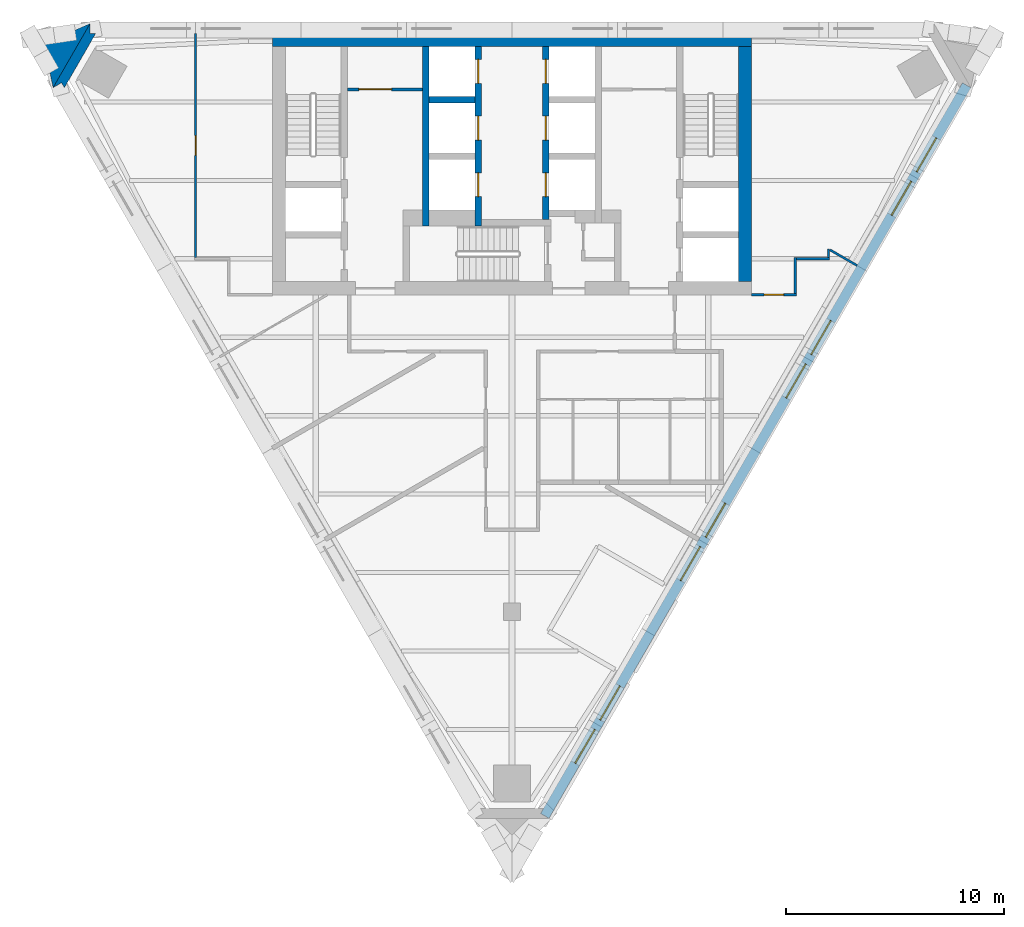
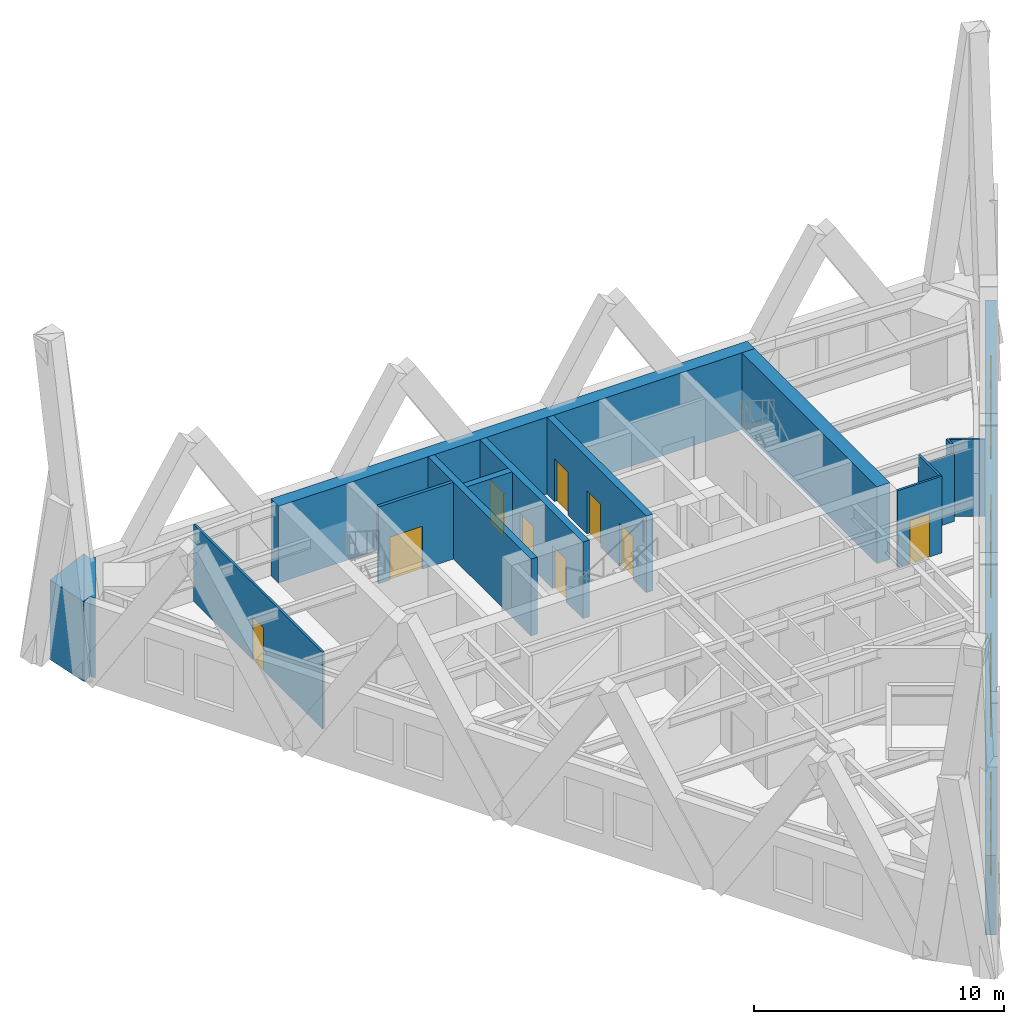
# One storey, part 5 of 7: 16 walls, 9 doors, 8 windows, 17 openings.
"""IFC4 building model written with IfcOpenShell, lengths in metres."""

from ifc_helpers import new_model, si_unit, direction, frame, frame_2d, origin, place, context, subcontext, project, spatial, polyline, rectangle, outline, extrude, material, layer, layer_set, type_object, element, fill, save


model = new_model("IFC4")

# Units and contexts
model_context = context("Model", 3, precision=1e-05, world=origin(), true_north=direction((0.0, 1.0)))
body_context = subcontext(model_context, "Body", "Model", "MODEL_VIEW")
ifc_project = project(units=[si_unit("LENGTHUNIT", "METRE"), si_unit("AREAUNIT", "SQUARE_METRE"), si_unit("VOLUMEUNIT", "CUBIC_METRE"), si_unit("PLANEANGLEUNIT", "RADIAN"), si_unit("MASSUNIT", "GRAM", prefix="KILO")], contexts=[model_context])

# Site, building, storey
site_placement = place(None, origin())
site = spatial("IfcSite", under=ifc_project, at=site_placement, CompositionType="ELEMENT")
building_placement = place(site_placement, origin())
building = spatial("IfcBuilding", under=site, at=building_placement, Name="Aloe Facet Convention Tower", CompositionType="ELEMENT")
storey_placement = place(building_placement, frame((0.0, 0.0, 211.39990234375)))
storey = spatial("IfcBuildingStorey", under=building, at=storey_placement, Name="L53", CompositionType="ELEMENT", Elevation=211.39990234375)

# Wall, opening, door
ifc_material_1 = material(Name="Concrete blockwork partition", Category="masonry")
ifc_layer_1 = layer(ifc_material_1, 0.14990234375)
ifc_layer_set_1 = layer_set([ifc_layer_1], Name="CR-W-PART150")
wall_type_1 = type_object("IfcWallType", Name="CR-W-PART150", PredefinedType="PARTITIONING", material=ifc_layer_set_1)
wall_1_placement = place(storey_placement, frame((72.449951171875, 131.97509765625, 0.0), z_axis=(0.0, 0.0, 1.0), x_axis=(1.0, 0.0, 0.0)))
wall_1 = element("IfcWall", 1, at=wall_1_placement, inside=storey, type_object=wall_type_1, Name="Core partition L53-007", PredefinedType="PARTITIONING", context=body_context, shape_type="SweptSolid", body=[
    extrude(rectangle(XDim=3.449951171875, YDim=0.14990234375, at=frame_2d((1.72509765625, 0.0))), origin(), (0.0, 0.0, 1.0), 3.75),
])
opening_1_placement = place(wall_1_placement, frame((0.52490234375, 0.0, 0.0)))
opening_1 = element("IfcOpeningElement", 2, at=opening_1_placement, cuts=wall_1, Name="Opening L53-CD14", PredefinedType="OPENING", context=body_context, shape_type="SweptSolid", body=[
    extrude(rectangle(XDim=1.5, YDim=2.10009765625, at=frame_2d((0.75, 1.050048828125))), frame((0.0, 0.0849609375, 0.0), z_axis=(0.0, -1.0, 0.0), x_axis=(1.0, 0.0, 0.0)), (0.0, 0.0, 1.0), 0.169921875),
])
ifc_material_2 = material(Name="Steel fire-resisting door set FD60", Category="steel")
door_type_1 = type_object("IfcDoorType", Name="CR-D-REFUGE-1500-FD60-DD", OperationType="DOUBLE_DOOR_DOUBLE_SWING", PredefinedType="DOOR", material=ifc_material_2)
door_1_placement = place(opening_1_placement, origin())
door_1 = element("IfcDoor", 3, at=door_1_placement, inside=storey, type_object=door_type_1, Name="Core door L53-CD14", OperationType="DOUBLE_DOOR_DOUBLE_SWING", OverallHeight=2.10009765625, OverallWidth=1.5, PredefinedType="DOOR", context=body_context, shape_type="SweptSolid", body=[
    extrude(rectangle(XDim=1.5, YDim=2.10009765625, at=frame_2d((0.75, 1.050048828125))), frame((0.0, 0.02490234375, 0.0), z_axis=(0.0, -1.0, 0.0), x_axis=(1.0, 0.0, 0.0)), (0.0, 0.0, 1.0), 0.050048828125),
])
fill(opening_1, door_1)

# Walls
ifc_material_3 = material(Name="Concrete C50/60", Category="concrete")
ifc_layer_2 = layer(ifc_material_3, 0.300048828125)
ifc_layer_set_2 = layer_set([ifc_layer_2], Name="CR-W-RC300-C5060")
wall_type_2 = type_object("IfcWallType", Name="CR-W-RC300-C5060", PredefinedType="SOLIDWALL", material=ifc_layer_set_2)
wall_2_placement = place(storey_placement, frame((76.050048828125, 133.949951171875, 0.0), z_axis=(0.0, 0.0, 1.0), x_axis=(0.0, -1.0, 0.0)))
element("IfcWall", 4, at=wall_2_placement, inside=storey, type_object=wall_type_2, Name="Core wall L53-010", PredefinedType="SOLIDWALL", context=body_context, shape_type="SweptSolid", body=[
    extrude(rectangle(XDim=8.25, YDim=0.300048828125, at=frame_2d((4.125, 0.0))), origin(), (0.0, 0.0, 1.0), 3.75),
])
wall_3_placement = place(storey_placement, frame((76.199951171875, 131.5, 0.0), z_axis=(0.0, 0.0, 1.0), x_axis=(1.0, 0.0, 0.0)))
element("IfcWall", 5, at=wall_3_placement, inside=storey, type_object=wall_type_2, Name="Core wall L53-011", PredefinedType="SOLIDWALL", context=body_context, shape_type="SweptSolid", body=[
    extrude(rectangle(XDim=2.10009765625, YDim=0.300048828125, at=frame_2d((1.050048828125, 0.0))), origin(), (0.0, 0.0, 1.0), 3.75),
])

# Wall, openings, doors
wall_4_placement = place(storey_placement, frame((78.449951171875, 133.949951171875, 0.0), z_axis=(0.0, 0.0, 1.0), x_axis=(0.0, -1.0, 0.0)))
wall_4 = element("IfcWall", 6, at=wall_4_placement, inside=storey, type_object=wall_type_2, Name="Core wall L53-014", PredefinedType="SOLIDWALL", context=body_context, shape_type="SweptSolid", body=[
    extrude(rectangle(XDim=8.25, YDim=0.300048828125, at=frame_2d((4.125, 0.0))), origin(), (0.0, 0.0, 1.0), 3.75),
])
opening_2_placement = place(wall_4_placement, frame((0.60009765625, 0.0, 0.0)))
opening_2 = element("IfcOpeningElement", 7, at=opening_2_placement, cuts=wall_4, Name="Opening LD-B1-L53", PredefinedType="OPENING", context=body_context, shape_type="SweptSolid", body=[
    extrude(rectangle(XDim=1.10009765625, YDim=2.10009765625, at=frame_2d((0.550048828125, 1.050048828125))), frame((0.0, 0.16015625, 0.0), z_axis=(0.0, -1.0, 0.0), x_axis=(1.0, 0.0, 0.0)), (0.0, 0.0, 1.0), 0.320068359375),
])
opening_3_placement = place(wall_4_placement, frame((3.199951171875, 0.0, 0.0)))
opening_3 = element("IfcOpeningElement", 8, at=opening_3_placement, cuts=wall_4, Name="Opening LD-B2-L53", PredefinedType="OPENING", context=body_context, shape_type="SweptSolid", body=[
    extrude(rectangle(XDim=1.10009765625, YDim=2.10009765625, at=frame_2d((0.550048828125, 1.050048828125))), frame((0.0, 0.16015625, 0.0), z_axis=(0.0, -1.0, 0.0), x_axis=(1.0, 0.0, 0.0)), (0.0, 0.0, 1.0), 0.320068359375),
])
opening_4_placement = place(wall_4_placement, frame((5.800048828125, 0.0, 0.0)))
opening_4 = element("IfcOpeningElement", 9, at=opening_4_placement, cuts=wall_4, Name="Opening LD-B3-L53", PredefinedType="OPENING", context=body_context, shape_type="SweptSolid", body=[
    extrude(rectangle(XDim=1.10009765625, YDim=2.10009765625, at=frame_2d((0.550048828125, 1.050048828125))), frame((0.0, 0.16015625, 0.0), z_axis=(0.0, -1.0, 0.0), x_axis=(1.0, 0.0, 0.0)), (0.0, 0.0, 1.0), 0.320068359375),
])
ifc_material_4 = material(Name="Stainless steel sliding landing door", Category="steel")
door_type_2 = type_object("IfcDoorType", Name="CR-LD-1100-FD60-RIGHT", OperationType="SLIDING_TO_RIGHT", PredefinedType="DOOR", material=ifc_material_4)
door_2_placement = place(opening_2_placement, origin())
door_2 = element("IfcDoor", 10, at=door_2_placement, inside=storey, type_object=door_type_2, Name="Landing door B1 L53", OperationType="SLIDING_TO_RIGHT", OverallHeight=2.10009765625, OverallWidth=1.10009765625, PredefinedType="DOOR", context=body_context, shape_type="SweptSolid", body=[
    extrude(rectangle(XDim=1.10009765625, YDim=2.10009765625, at=frame_2d((0.550048828125, 1.050048828125))), frame((0.0, 0.02490234375, 0.0), z_axis=(0.0, -1.0, 0.0), x_axis=(1.0, 0.0, 0.0)), (0.0, 0.0, 1.0), 0.050048828125),
])
fill(opening_2, door_2)
door_3_placement = place(opening_3_placement, origin())
door_3 = element("IfcDoor", 11, at=door_3_placement, inside=storey, type_object=door_type_2, Name="Landing door B2 L53", OperationType="SLIDING_TO_RIGHT", OverallHeight=2.10009765625, OverallWidth=1.10009765625, PredefinedType="DOOR", context=body_context, shape_type="SweptSolid", body=[
    extrude(rectangle(XDim=1.10009765625, YDim=2.10009765625, at=frame_2d((0.550048828125, 1.050048828125))), frame((0.0, 0.02490234375, 0.0), z_axis=(0.0, -1.0, 0.0), x_axis=(1.0, 0.0, 0.0)), (0.0, 0.0, 1.0), 0.050048828125),
])
fill(opening_3, door_3)
door_4_placement = place(opening_4_placement, origin())
door_4 = element("IfcDoor", 12, at=door_4_placement, inside=storey, type_object=door_type_2, Name="Landing door B3 L53", OperationType="SLIDING_TO_RIGHT", OverallHeight=2.10009765625, OverallWidth=1.10009765625, PredefinedType="DOOR", context=body_context, shape_type="SweptSolid", body=[
    extrude(rectangle(XDim=1.10009765625, YDim=2.10009765625, at=frame_2d((0.550048828125, 1.050048828125))), frame((0.0, 0.02490234375, 0.0), z_axis=(0.0, -1.0, 0.0), x_axis=(1.0, 0.0, 0.0)), (0.0, 0.0, 1.0), 0.050048828125),
])
fill(opening_4, door_4)

wall_5_placement = place(storey_placement, frame((81.550048828125, 133.949951171875, 0.0), z_axis=(0.0, 0.0, 1.0), x_axis=(0.0, -1.0, 0.0)))
wall_5 = element("IfcWall", 13, at=wall_5_placement, inside=storey, type_object=wall_type_2, Name="Core wall L53-016", PredefinedType="SOLIDWALL", context=body_context, shape_type="SweptSolid", body=[
    extrude(rectangle(XDim=7.949951171875, YDim=0.300048828125, at=frame_2d((3.97509765625, 0.0))), origin(), (0.0, 0.0, 1.0), 3.75),
])
opening_5_placement = place(wall_5_placement, frame((0.60009765625, 0.0, 0.0)))
opening_5 = element("IfcOpeningElement", 14, at=opening_5_placement, cuts=wall_5, Name="Opening LD-B4-L53", PredefinedType="OPENING", context=body_context, shape_type="SweptSolid", body=[
    extrude(rectangle(XDim=1.10009765625, YDim=2.10009765625, at=frame_2d((0.550048828125, 1.050048828125))), frame((0.0, 0.16015625, 0.0), z_axis=(0.0, -1.0, 0.0), x_axis=(1.0, 0.0, 0.0)), (0.0, 0.0, 1.0), 0.320068359375),
])
opening_6_placement = place(wall_5_placement, frame((3.199951171875, 0.0, 0.0)))
opening_6 = element("IfcOpeningElement", 15, at=opening_6_placement, cuts=wall_5, Name="Opening LD-B5-L53", PredefinedType="OPENING", context=body_context, shape_type="SweptSolid", body=[
    extrude(rectangle(XDim=1.10009765625, YDim=2.10009765625, at=frame_2d((0.550048828125, 1.050048828125))), frame((0.0, 0.16015625, 0.0), z_axis=(0.0, -1.0, 0.0), x_axis=(1.0, 0.0, 0.0)), (0.0, 0.0, 1.0), 0.320068359375),
])
opening_7_placement = place(wall_5_placement, frame((5.800048828125, 0.0, 0.0)))
opening_7 = element("IfcOpeningElement", 16, at=opening_7_placement, cuts=wall_5, Name="Opening LD-B6-L53", PredefinedType="OPENING", context=body_context, shape_type="SweptSolid", body=[
    extrude(rectangle(XDim=1.10009765625, YDim=2.10009765625, at=frame_2d((0.550048828125, 1.050048828125))), frame((0.0, 0.16015625, 0.0), z_axis=(0.0, -1.0, 0.0), x_axis=(1.0, 0.0, 0.0)), (0.0, 0.0, 1.0), 0.320068359375),
])
ifc_material_5 = material(Name="Stainless steel sliding landing door", Category="steel")
door_type_3 = type_object("IfcDoorType", Name="CR-LD-1100-FD60-_LEFT", OperationType="SLIDING_TO_LEFT", PredefinedType="DOOR", material=ifc_material_5)
door_5_placement = place(opening_5_placement, origin())
door_5 = element("IfcDoor", 17, at=door_5_placement, inside=storey, type_object=door_type_3, Name="Landing door B4 L53", OperationType="SLIDING_TO_LEFT", OverallHeight=2.10009765625, OverallWidth=1.10009765625, PredefinedType="DOOR", context=body_context, shape_type="SweptSolid", body=[
    extrude(rectangle(XDim=1.10009765625, YDim=2.10009765625, at=frame_2d((0.550048828125, 1.050048828125))), frame((0.0, 0.02490234375, 0.0), z_axis=(0.0, -1.0, 0.0), x_axis=(1.0, 0.0, 0.0)), (0.0, 0.0, 1.0), 0.050048828125),
])
fill(opening_5, door_5)
door_6_placement = place(opening_6_placement, origin())
door_6 = element("IfcDoor", 18, at=door_6_placement, inside=storey, type_object=door_type_3, Name="Landing door B5 L53", OperationType="SLIDING_TO_LEFT", OverallHeight=2.10009765625, OverallWidth=1.10009765625, PredefinedType="DOOR", context=body_context, shape_type="SweptSolid", body=[
    extrude(rectangle(XDim=1.10009765625, YDim=2.10009765625, at=frame_2d((0.550048828125, 1.050048828125))), frame((0.0, 0.02490234375, 0.0), z_axis=(0.0, -1.0, 0.0), x_axis=(1.0, 0.0, 0.0)), (0.0, 0.0, 1.0), 0.050048828125),
])
fill(opening_6, door_6)
door_7_placement = place(opening_7_placement, origin())
door_7 = element("IfcDoor", 19, at=door_7_placement, inside=storey, type_object=door_type_3, Name="Landing door B6 L53", OperationType="SLIDING_TO_LEFT", OverallHeight=2.10009765625, OverallWidth=1.10009765625, PredefinedType="DOOR", context=body_context, shape_type="SweptSolid", body=[
    extrude(rectangle(XDim=1.10009765625, YDim=2.10009765625, at=frame_2d((0.550048828125, 1.050048828125))), frame((0.0, 0.02490234375, 0.0), z_axis=(0.0, -1.0, 0.0), x_axis=(1.0, 0.0, 0.0)), (0.0, 0.0, 1.0), 0.050048828125),
])
fill(opening_7, door_7)

# Walls
ifc_material_6 = material(Name="Concrete C50/60", Category="concrete")
ifc_layer_3 = layer(ifc_material_6, 0.60009765625)
ifc_layer_set_3 = layer_set([ifc_layer_3], Name="CR-W-RC600-C5060")
wall_type_3 = type_object("IfcWallType", Name="CR-W-RC600-C5060", PredefinedType="SOLIDWALL", material=ifc_layer_set_3)
wall_6_placement = place(storey_placement, frame((69.0, 134.25, 0.0), z_axis=(0.0, 0.0, 1.0), x_axis=(1.0, 0.0, 0.0)))
element("IfcWall", 20, at=wall_6_placement, inside=storey, type_object=wall_type_3, Name="Core wall L53-001", PredefinedType="SOLIDWALL", context=body_context, shape_type="SweptSolid", body=[
    extrude(rectangle(XDim=22.0, YDim=0.60009765625, at=frame_2d((11.0, 0.0))), origin(), (0.0, 0.0, 1.0), 3.75),
])
wall_7_placement = place(storey_placement, frame((90.699951171875, 133.949951171875, 0.0), z_axis=(0.0, 0.0, 1.0), x_axis=(0.0, -1.0, 0.0)))
element("IfcWall", 21, at=wall_7_placement, inside=storey, type_object=wall_type_3, Name="Core wall L53-031", PredefinedType="SOLIDWALL", context=body_context, shape_type="SweptSolid", body=[
    extrude(rectangle(XDim=10.800048828125, YDim=0.60009765625, at=frame_2d((5.39990234375, 0.0))), origin(), (0.0, 0.0, 1.0), 3.75),
])
ifc_material_7 = material(Name="Precast concrete C40/50", Category="concrete")
ifc_layer_4 = layer(ifc_material_7, 0.449951171875)
ifc_layer_set_4 = layer_set([ifc_layer_4], Name="EV-WALL-PIER")
wall_type_4 = type_object("IfcWallType", Name="EV-WALL-PIER", PredefinedType="SOLIDWALL", material=ifc_layer_set_4)
wall_8_placement = place(storey_placement, frame((0.0, 0.0, -0.14990234375)))
element("IfcWall", 22, at=wall_8_placement, inside=storey, type_object=wall_type_4, Name="EP-L53-A", PredefinedType="SOLIDWALL", context=body_context, shape_type="SweptSolid", body=[
    extrude(outline(polyline([(60.635498046875, 135.0), (60.635498046875, 134.550048828125), (60.895263671875, 134.550048828125), (59.455078125, 132.055419921875), (59.3251953125, 132.280517578125), (58.935302734375, 132.055419921875), (60.635498046875, 135.0)])), origin(), (0.0, 0.0, 1.0), 3.89990234375),
])
ifc_material_8 = material(Name="Precast concrete C40/50", Category="concrete")
ifc_layer_5 = layer(ifc_material_8, 3.947998046875)
ifc_layer_set_5 = layer_set([ifc_layer_5], Name="EV-WALL-SPINE")
wall_type_5 = type_object("IfcWallType", Name="EV-WALL-SPINE", PredefinedType="SOLIDWALL", material=ifc_layer_set_5)
wall_9_placement = place(storey_placement, frame((0.0, 0.0, -0.14990234375)))
element("IfcWall", 23, at=wall_9_placement, inside=storey, type_object=wall_type_5, Name="SP-NW-L53", PredefinedType="SOLIDWALL", context=body_context, shape_type="SweptSolid", body=[
    extrude(outline(polyline([(60.635498046875, 135.0), (58.52197265625, 134.07470703125), (58.935302734375, 132.055419921875), (60.635498046875, 135.0)])), origin(), (0.0, 0.0, 1.0), 3.89990234375),
])

# Wall, openings, windows
ifc_material_9 = material(Name="Precast concrete C40/50", Category="concrete")
ifc_layer_6 = layer(ifc_material_9, 0.449951171875)
ifc_layer_set_6 = layer_set([ifc_layer_6], Name="EV-WALL-STONE")
wall_type_6 = type_object("IfcWallType", Name="EV-WALL-STONE", PredefinedType="SOLIDWALL", material=ifc_layer_set_6)
wall_10_placement = place(storey_placement, frame((81.505126953125, 98.62744140625, -0.14990234375), z_axis=(0.0, 0.0, 1.0), x_axis=(0.500002199942, 0.866024133644, 0.0)))
wall_10 = element("IfcWall", 24, at=wall_10_placement, inside=storey, type_object=wall_type_6, Name="EW-L53-E01", PredefinedType="SOLIDWALL", context=body_context, shape_type="SweptSolid", body=[
    extrude(outline(polyline([(38.729248046875, 0.0), (38.729248046875, 3.89990234375), (0.0, 3.89990234375), (0.0, 0.0), (38.729248046875, 0.0)])), frame((0.0, 0.22509765625, 0.0), z_axis=(0.0, -1.0, 0.0), x_axis=(1.0, 0.0, 0.0)), (0.0, 0.0, 1.0), 0.449951171875),
])
opening_8_placement = place(wall_10_placement, frame((2.791259765625, 0.0, 0.949951171875)))
opening_8 = element("IfcOpeningElement", 25, at=opening_8_placement, cuts=wall_10, Name="Opening W-L53-E01", PredefinedType="OPENING", context=body_context, shape_type="SweptSolid", body=[
    extrude(rectangle(XDim=1.800048828125, YDim=2.199951171875, at=frame_2d((0.89990234375, 1.10009765625))), frame((0.0, 0.23486328125, 0.0), z_axis=(0.0, -1.0, 0.0), x_axis=(1.0, 0.0, 0.0)), (0.0, 0.0, 1.0), 0.469970703125),
])
opening_9_placement = place(wall_10_placement, frame((5.091064453125, 0.0, 0.949951171875)))
opening_9 = element("IfcOpeningElement", 26, at=opening_9_placement, cuts=wall_10, Name="Opening W-L53-E02", PredefinedType="OPENING", context=body_context, shape_type="SweptSolid", body=[
    extrude(rectangle(XDim=1.800048828125, YDim=2.199951171875, at=frame_2d((0.89990234375, 1.10009765625))), frame((0.0, 0.23486328125, 0.0), z_axis=(0.0, -1.0, 0.0), x_axis=(1.0, 0.0, 0.0)), (0.0, 0.0, 1.0), 0.469970703125),
])
opening_10_placement = place(wall_10_placement, frame((12.473388671875, 0.0, 0.949951171875)))
opening_10 = element("IfcOpeningElement", 27, at=opening_10_placement, cuts=wall_10, Name="Opening W-L53-E03", PredefinedType="OPENING", context=body_context, shape_type="SweptSolid", body=[
    extrude(rectangle(XDim=1.800048828125, YDim=2.199951171875, at=frame_2d((0.89990234375, 1.10009765625))), frame((0.0, 0.23486328125, 0.0), z_axis=(0.0, -1.0, 0.0), x_axis=(1.0, 0.0, 0.0)), (0.0, 0.0, 1.0), 0.469970703125),
])
opening_11_placement = place(wall_10_placement, frame((14.7734375, 0.0, 0.949951171875)))
opening_11 = element("IfcOpeningElement", 28, at=opening_11_placement, cuts=wall_10, Name="Opening W-L53-E04", PredefinedType="OPENING", context=body_context, shape_type="SweptSolid", body=[
    extrude(rectangle(XDim=1.800048828125, YDim=2.199951171875, at=frame_2d((0.89990234375, 1.10009765625))), frame((0.0, 0.23486328125, 0.0), z_axis=(0.0, -1.0, 0.0), x_axis=(1.0, 0.0, 0.0)), (0.0, 0.0, 1.0), 0.469970703125),
])
opening_12_placement = place(wall_10_placement, frame((22.15576171875, 0.0, 0.949951171875)))
opening_12 = element("IfcOpeningElement", 29, at=opening_12_placement, cuts=wall_10, Name="Opening W-L53-E05", PredefinedType="OPENING", context=body_context, shape_type="SweptSolid", body=[
    extrude(rectangle(XDim=1.800048828125, YDim=2.199951171875, at=frame_2d((0.89990234375, 1.10009765625))), frame((0.0, 0.23486328125, 0.0), z_axis=(0.0, -1.0, 0.0), x_axis=(1.0, 0.0, 0.0)), (0.0, 0.0, 1.0), 0.469970703125),
])
opening_13_placement = place(wall_10_placement, frame((24.455810546875, 0.0, 0.949951171875)))
opening_13 = element("IfcOpeningElement", 30, at=opening_13_placement, cuts=wall_10, Name="Opening W-L53-E06", PredefinedType="OPENING", context=body_context, shape_type="SweptSolid", body=[
    extrude(rectangle(XDim=1.800048828125, YDim=2.199951171875, at=frame_2d((0.89990234375, 1.10009765625))), frame((0.0, 0.23486328125, 0.0), z_axis=(0.0, -1.0, 0.0), x_axis=(1.0, 0.0, 0.0)), (0.0, 0.0, 1.0), 0.469970703125),
])
opening_14_placement = place(wall_10_placement, frame((31.838134765625, 0.0, 0.949951171875)))
opening_14 = element("IfcOpeningElement", 31, at=opening_14_placement, cuts=wall_10, Name="Opening W-L53-E07", PredefinedType="OPENING", context=body_context, shape_type="SweptSolid", body=[
    extrude(rectangle(XDim=1.800048828125, YDim=2.199951171875, at=frame_2d((0.89990234375, 1.10009765625))), frame((0.0, 0.23486328125, 0.0), z_axis=(0.0, -1.0, 0.0), x_axis=(1.0, 0.0, 0.0)), (0.0, 0.0, 1.0), 0.469970703125),
])
opening_15_placement = place(wall_10_placement, frame((34.13818359375, 0.0, 0.949951171875)))
opening_15 = element("IfcOpeningElement", 32, at=opening_15_placement, cuts=wall_10, Name="Opening W-L53-E08", PredefinedType="OPENING", context=body_context, shape_type="SweptSolid", body=[
    extrude(rectangle(XDim=1.800048828125, YDim=2.199951171875, at=frame_2d((0.89990234375, 1.10009765625))), frame((0.0, 0.23486328125, 0.0), z_axis=(0.0, -1.0, 0.0), x_axis=(1.0, 0.0, 0.0)), (0.0, 0.0, 1.0), 0.469970703125),
])
ifc_material_10 = material(Name="Aluminium frame, clear double glazing", Category="aluminium")
window_type = type_object("IfcWindowType", Name="EV-WIN-O18", PartitioningType="SINGLE_PANEL", PredefinedType="WINDOW", material=ifc_material_10)
window_1_placement = place(opening_8_placement, origin())
window_1 = element("IfcWindow", 33, at=window_1_placement, inside=storey, type_object=window_type, Name="W-L53-E01", OverallHeight=2.199951171875, OverallWidth=1.800048828125, PartitioningType="SINGLE_PANEL", PredefinedType="WINDOW", context=body_context, shape_type="SweptSolid", body=[
    extrude(rectangle(XDim=1.800048828125, YDim=2.199951171875, at=frame_2d((0.89990234375, 1.10009765625))), frame((0.0, 0.030029296875, 0.0), z_axis=(0.0, -1.0, 0.0), x_axis=(1.0, 0.0, 0.0)), (0.0, 0.0, 1.0), 0.06005859375),
])
fill(opening_8, window_1)
window_2_placement = place(opening_9_placement, origin())
window_2 = element("IfcWindow", 34, at=window_2_placement, inside=storey, type_object=window_type, Name="W-L53-E02", OverallHeight=2.199951171875, OverallWidth=1.800048828125, PartitioningType="SINGLE_PANEL", PredefinedType="WINDOW", context=body_context, shape_type="SweptSolid", body=[
    extrude(rectangle(XDim=1.800048828125, YDim=2.199951171875, at=frame_2d((0.89990234375, 1.10009765625))), frame((0.0, 0.030029296875, 0.0), z_axis=(0.0, -1.0, 0.0), x_axis=(1.0, 0.0, 0.0)), (0.0, 0.0, 1.0), 0.06005859375),
])
fill(opening_9, window_2)
window_3_placement = place(opening_10_placement, origin())
window_3 = element("IfcWindow", 35, at=window_3_placement, inside=storey, type_object=window_type, Name="W-L53-E03", OverallHeight=2.199951171875, OverallWidth=1.800048828125, PartitioningType="SINGLE_PANEL", PredefinedType="WINDOW", context=body_context, shape_type="SweptSolid", body=[
    extrude(rectangle(XDim=1.800048828125, YDim=2.199951171875, at=frame_2d((0.89990234375, 1.10009765625))), frame((0.0, 0.030029296875, 0.0), z_axis=(0.0, -1.0, 0.0), x_axis=(1.0, 0.0, 0.0)), (0.0, 0.0, 1.0), 0.06005859375),
])
fill(opening_10, window_3)
window_4_placement = place(opening_11_placement, origin())
window_4 = element("IfcWindow", 36, at=window_4_placement, inside=storey, type_object=window_type, Name="W-L53-E04", OverallHeight=2.199951171875, OverallWidth=1.800048828125, PartitioningType="SINGLE_PANEL", PredefinedType="WINDOW", context=body_context, shape_type="SweptSolid", body=[
    extrude(rectangle(XDim=1.800048828125, YDim=2.199951171875, at=frame_2d((0.89990234375, 1.10009765625))), frame((0.0, 0.030029296875, 0.0), z_axis=(0.0, -1.0, 0.0), x_axis=(1.0, 0.0, 0.0)), (0.0, 0.0, 1.0), 0.06005859375),
])
fill(opening_11, window_4)
window_5_placement = place(opening_12_placement, origin())
window_5 = element("IfcWindow", 37, at=window_5_placement, inside=storey, type_object=window_type, Name="W-L53-E05", OverallHeight=2.199951171875, OverallWidth=1.800048828125, PartitioningType="SINGLE_PANEL", PredefinedType="WINDOW", context=body_context, shape_type="SweptSolid", body=[
    extrude(rectangle(XDim=1.800048828125, YDim=2.199951171875, at=frame_2d((0.89990234375, 1.10009765625))), frame((0.0, 0.030029296875, 0.0), z_axis=(0.0, -1.0, 0.0), x_axis=(1.0, 0.0, 0.0)), (0.0, 0.0, 1.0), 0.06005859375),
])
fill(opening_12, window_5)
window_6_placement = place(opening_13_placement, origin())
window_6 = element("IfcWindow", 38, at=window_6_placement, inside=storey, type_object=window_type, Name="W-L53-E06", OverallHeight=2.199951171875, OverallWidth=1.800048828125, PartitioningType="SINGLE_PANEL", PredefinedType="WINDOW", context=body_context, shape_type="SweptSolid", body=[
    extrude(rectangle(XDim=1.800048828125, YDim=2.199951171875, at=frame_2d((0.89990234375, 1.10009765625))), frame((0.0, 0.030029296875, 0.0), z_axis=(0.0, -1.0, 0.0), x_axis=(1.0, 0.0, 0.0)), (0.0, 0.0, 1.0), 0.06005859375),
])
fill(opening_13, window_6)
window_7_placement = place(opening_14_placement, origin())
window_7 = element("IfcWindow", 39, at=window_7_placement, inside=storey, type_object=window_type, Name="W-L53-E07", OverallHeight=2.199951171875, OverallWidth=1.800048828125, PartitioningType="SINGLE_PANEL", PredefinedType="WINDOW", context=body_context, shape_type="SweptSolid", body=[
    extrude(rectangle(XDim=1.800048828125, YDim=2.199951171875, at=frame_2d((0.89990234375, 1.10009765625))), frame((0.0, 0.030029296875, 0.0), z_axis=(0.0, -1.0, 0.0), x_axis=(1.0, 0.0, 0.0)), (0.0, 0.0, 1.0), 0.06005859375),
])
fill(opening_14, window_7)
window_8_placement = place(opening_15_placement, origin())
window_8 = element("IfcWindow", 40, at=window_8_placement, inside=storey, type_object=window_type, Name="W-L53-E08", OverallHeight=2.199951171875, OverallWidth=1.800048828125, PartitioningType="SINGLE_PANEL", PredefinedType="WINDOW", context=body_context, shape_type="SweptSolid", body=[
    extrude(rectangle(XDim=1.800048828125, YDim=2.199951171875, at=frame_2d((0.89990234375, 1.10009765625))), frame((0.0, 0.030029296875, 0.0), z_axis=(0.0, -1.0, 0.0), x_axis=(1.0, 0.0, 0.0)), (0.0, 0.0, 1.0), 0.06005859375),
])
fill(opening_15, window_8)

# Wall, opening, door
ifc_material_11 = material(Name="Gypsum board partition on steel studs", Category="steel")
ifc_layer_7 = layer(ifc_material_11, 0.10009765625)
ifc_layer_set_7 = layer_set([ifc_layer_7], Name="IN-W-PART")
wall_type_7 = type_object("IfcWallType", Name="IN-W-PART", PredefinedType="PARTITIONING", material=ifc_layer_set_7)
wall_11_placement = place(storey_placement, frame((90.990234375, 122.550048828125, 0.0), z_axis=(0.0, 0.0, 1.0), x_axis=(1.0, 0.0, 0.0)))
wall_11 = element("IfcWall", 41, at=wall_11_placement, inside=storey, type_object=wall_type_7, Name="Partition L53-W032", PredefinedType="PARTITIONING", context=body_context, shape_type="SweptSolid", body=[
    extrude(rectangle(XDim=2.057861328125, YDim=0.10009765625, at=frame_2d((1.02880859375, 0.0))), origin(), (0.0, 0.0, 1.0), 3.75),
])
opening_16_placement = place(wall_11_placement, frame((0.578857421875, 0.0, 0.0)))
opening_16 = element("IfcOpeningElement", 42, at=opening_16_placement, cuts=wall_11, Name="Opening L53-006", PredefinedType="OPENING", context=body_context, shape_type="SweptSolid", body=[
    extrude(rectangle(XDim=0.89990234375, YDim=2.10009765625, at=frame_2d((0.449951171875, 1.050048828125))), frame((0.0, 0.06005859375, 0.0), z_axis=(0.0, -1.0, 0.0), x_axis=(1.0, 0.0, 0.0)), (0.0, 0.0, 1.0), 0.1201171875),
])
ifc_material_12 = material(Name="Timber door", Category="wood")
door_type_4 = type_object("IfcDoorType", Name="IN-OFF-D-ROOM", OperationType="SINGLE_SWING_LEFT", PredefinedType="DOOR", material=ifc_material_12)
door_8_placement = place(opening_16_placement, origin())
door_8 = element("IfcDoor", 43, at=door_8_placement, inside=storey, type_object=door_type_4, Name="Door L53-006", OperationType="SINGLE_SWING_LEFT", OverallHeight=2.10009765625, OverallWidth=0.89990234375, PredefinedType="DOOR", context=body_context, shape_type="SweptSolid", body=[
    extrude(rectangle(XDim=0.89990234375, YDim=2.10009765625, at=frame_2d((0.449951171875, 1.050048828125))), frame((0.0, 0.02490234375, 0.0), z_axis=(0.0, -1.0, 0.0), x_axis=(1.0, 0.0, 0.0)), (0.0, 0.0, 1.0), 0.050048828125),
])
fill(opening_16, door_8)

# Walls
wall_12_placement = place(storey_placement, frame((92.998046875, 122.60009765625, 0.0), z_axis=(0.0, 0.0, 1.0), x_axis=(0.001183781355, 0.999999299331, 0.0)))
element("IfcWall", 44, at=wall_12_placement, inside=storey, type_object=wall_type_7, Name="Partition L53-W033", PredefinedType="PARTITIONING", context=body_context, shape_type="SweptSolid", body=[
    extrude(rectangle(XDim=1.64990234375, YDim=0.10009765625, at=frame_2d((0.824951171875, 0.0))), origin(), (0.0, 0.0, 1.0), 3.75),
])
wall_13_placement = place(storey_placement, frame((93.050048828125, 124.199951171875, 0.0), z_axis=(0.0, 0.0, 1.0), x_axis=(1.0, 0.0, 0.0)))
element("IfcWall", 45, at=wall_13_placement, inside=storey, type_object=wall_type_7, Name="Partition L53-W036", PredefinedType="PARTITIONING", context=body_context, shape_type="SweptSolid", body=[
    extrude(rectangle(XDim=1.521484375, YDim=0.10009765625, at=frame_2d((0.7607421875, 0.0))), origin(), (0.0, 0.0, 1.0), 3.280029296875),
])
wall_14_placement = place(storey_placement, frame((94.521728515625, 124.25, 0.0), z_axis=(0.0, 0.0, 1.0), x_axis=(0.004252695444, 0.99999095725, 0.0)))
element("IfcWall", 46, at=wall_14_placement, inside=storey, type_object=wall_type_7, Name="Partition L53-W037", PredefinedType="PARTITIONING", context=body_context, shape_type="SweptSolid", body=[
    extrude(rectangle(XDim=0.40185546875, YDim=0.10009765625, at=frame_2d((0.200927734375, 0.0))), origin(), (0.0, 0.0, 1.0), 3.75),
])
wall_15_placement = place(storey_placement, frame((94.59814453125, 124.608642578125, 0.0), z_axis=(0.0, 0.0, 1.0), x_axis=(0.866097252637, -0.499875533482, 0.0)))
element("IfcWall", 47, at=wall_15_placement, inside=storey, type_object=wall_type_7, Name="Partition L53-W038", PredefinedType="PARTITIONING", context=body_context, shape_type="SweptSolid", body=[
    extrude(rectangle(XDim=1.426513671875, YDim=0.10009765625, at=frame_2d((0.71337890625, 0.0))), origin(), (0.0, 0.0, 1.0), 3.75),
])

# Wall, opening, door
wall_16_placement = place(storey_placement, frame((65.478515625, 124.25, 0.0), z_axis=(0.0, 0.0, 1.0), x_axis=(-0.000189622884, 0.999999982022, 0.0)))
wall_16 = element("IfcWall", 48, at=wall_16_placement, inside=storey, type_object=wall_type_7, Name="Partition L53-W039", PredefinedType="PARTITIONING", context=body_context, shape_type="SweptSolid", body=[
    extrude(rectangle(XDim=10.300048828125, YDim=0.10009765625, at=frame_2d((5.14990234375, 0.0))), origin(), (0.0, 0.0, 1.0), 3.75),
])
opening_17_placement = place(wall_16_placement, frame((4.699951171875, 0.0, 0.0)))
opening_17 = element("IfcOpeningElement", 49, at=opening_17_placement, cuts=wall_16, Name="Opening L53-007", PredefinedType="OPENING", context=body_context, shape_type="SweptSolid", body=[
    extrude(rectangle(XDim=0.89990234375, YDim=2.10009765625, at=frame_2d((0.449951171875, 1.050048828125))), frame((0.0, 0.06005859375, 0.0), z_axis=(0.0, -1.0, 0.0), x_axis=(1.0, 0.0, 0.0)), (0.0, 0.0, 1.0), 0.1201171875),
])
door_9_placement = place(opening_17_placement, origin())
door_9 = element("IfcDoor", 50, at=door_9_placement, inside=storey, type_object=door_type_4, Name="Door L53-007", OperationType="SINGLE_SWING_LEFT", OverallHeight=2.10009765625, OverallWidth=0.89990234375, PredefinedType="DOOR", context=body_context, shape_type="SweptSolid", body=[
    extrude(rectangle(XDim=0.89990234375, YDim=2.10009765625, at=frame_2d((0.449951171875, 1.050048828125))), frame((0.0, 0.02490234375, 0.0), z_axis=(0.0, -1.0, 0.0), x_axis=(1.0, 0.0, 0.0)), (0.0, 0.0, 1.0), 0.050048828125),
])
fill(opening_17, door_9)

save(model, "model.ifc")
